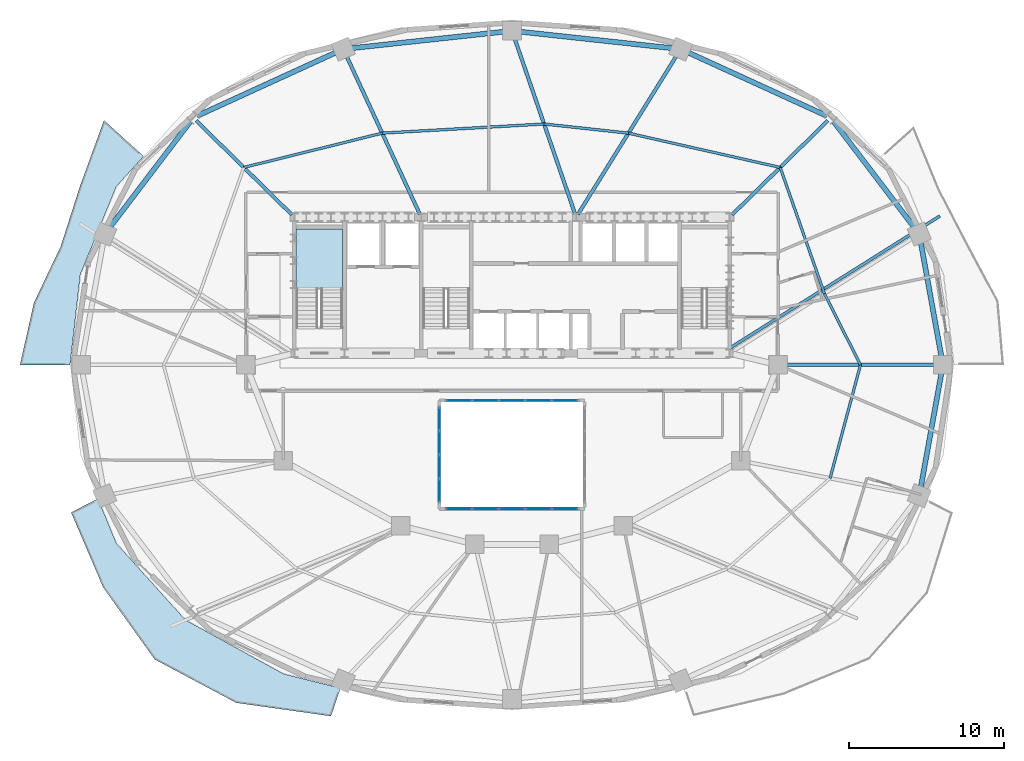
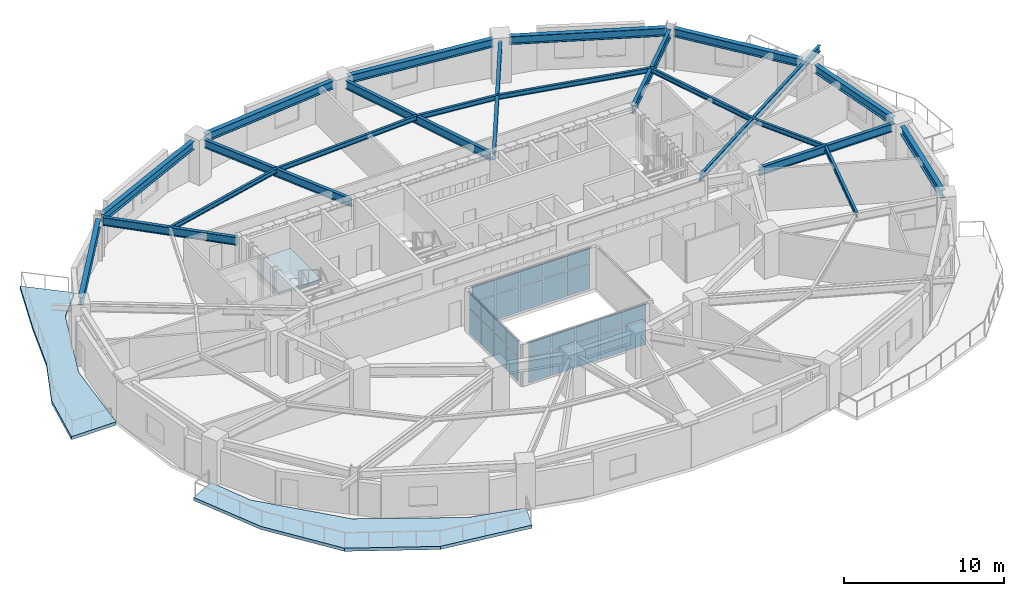
# One storey, part 5 of 12: 28 plates, 22 beams, 3 slabs, 4 elements without a shape of their own.
"""IFC4 building model written with IfcOpenShell, lengths in metres."""

from ifc_helpers import new_model, si_unit, direction, frame, origin, origin_2d, place, context, subcontext, project, spatial, polyline, rectangle, i_section, outline, extrude, material, layer, layer_set, material_profile, profile_set, type_object, element, aggregate, save


model = new_model("IFC4")

# Units and contexts
model_context = context("Model", 3, precision=1e-05, world=origin(), true_north=direction((0.0, 1.0)))
body_context = subcontext(model_context, "Body", "Model", "MODEL_VIEW")
ifc_project = project(units=[si_unit("LENGTHUNIT", "METRE"), si_unit("AREAUNIT", "SQUARE_METRE"), si_unit("VOLUMEUNIT", "CUBIC_METRE"), si_unit("PLANEANGLEUNIT", "RADIAN"), si_unit("MASSUNIT", "GRAM", prefix="KILO")], contexts=[model_context])

# Site, building, storey
site_placement = place(None, origin())
site = spatial("IfcSite", under=ifc_project, at=site_placement, CompositionType="ELEMENT")
building_placement = place(site_placement, origin())
building = spatial("IfcBuilding", under=site, at=building_placement, Name="Haldorwick Loom Tower", CompositionType="ELEMENT")
storey_placement = place(building_placement, frame((0.0, 0.0, 117.35009765625)))
storey = spatial("IfcBuildingStorey", under=building, at=storey_placement, Name="L31", CompositionType="ELEMENT", Elevation=117.35009765625)

# Beams
ifc_material_1 = material(Name="Steel CSA G40.21 350W", Category="steel")
ifc_material_profile_1 = material_profile(ifc_material_1, i_section(OverallWidth=0.193115234375, OverallDepth=0.466064453125, WebThickness=0.011474609375, FlangeThickness=0.01904296875, at=origin_2d()), Name="W460X97", Category="steel")
ifc_profile_set_1 = profile_set([ifc_material_profile_1], Name="Steel CSA G40.21 350W")
beam_type_1 = type_object("IfcBeamType", Name="STR-BM-BAL460", PredefinedType="BEAM", material=ifc_profile_set_1)
beam_1_placement = place(storey_placement, frame((50.111572265625, 27.106689453125, 2.976806640625), z_axis=(0.846609845451, 0.532214026108, 0.0), x_axis=(-0.532214026108, 0.846609845451, 0.0)))
element("IfcBeam", 1, at=beam_1_placement, inside=storey, type_object=beam_type_1, Name="L31 Continuous Back-Spanned Balcony Beam 4", PredefinedType="BEAM", context=body_context, shape_type="SweptSolid", body=[
    extrude(i_section(OverallWidth=0.193115234375, OverallDepth=0.466064453125, WebThickness=0.011474609375, FlangeThickness=0.01904296875, at=origin_2d()), origin(), (0.0, 0.0, 1.0), 16.0068359375),
])
ifc_material_profile_2 = material_profile(ifc_material_1, i_section(OverallWidth=0.172119140625, OverallDepth=0.35791015625, WebThickness=0.0078125, FlangeThickness=0.01318359375, at=origin_2d()), Name="W360X57", Category="steel")
ifc_profile_set_2 = profile_set([ifc_material_profile_2], Name="Steel CSA G40.21 350W")
beam_type_2 = type_object("IfcBeamType", Name="STR-BM-J360", PredefinedType="JOIST", material=ifc_profile_set_2)
beam_2_placement = place(storey_placement, frame((58.52880859375, 26.0, 3.031005859375), z_axis=(-0.451373231558, 0.892335254169, 0.0), x_axis=(-0.892335254169, -0.451373231558, 0.0)))
element("IfcBeam", 2, at=beam_2_placement, inside=storey, type_object=beam_type_2, Name="L31 Mid-Bay Secondary Joist 1", PredefinedType="JOIST", context=body_context, shape_type="SweptSolid", body=[
    extrude(i_section(OverallWidth=0.172119140625, OverallDepth=0.35791015625, WebThickness=0.0078125, FlangeThickness=0.01318359375, at=origin_2d()), origin(), (0.0, 0.0, 1.0), 5.158935546875),
])
beam_3_placement = place(storey_placement, frame((56.2001953125, 30.603515625, 3.031005859375), z_axis=(-0.330864603503, 0.943678236556, 0.0), x_axis=(-0.943678236556, -0.330864603503, 0.0)))
element("IfcBeam", 3, at=beam_3_placement, inside=storey, type_object=beam_type_2, Name="L31 Mid-Bay Secondary Joist 2", PredefinedType="JOIST", context=body_context, shape_type="SweptSolid", body=[
    extrude(i_section(OverallWidth=0.172119140625, OverallDepth=0.35791015625, WebThickness=0.0078125, FlangeThickness=0.01318359375, at=origin_2d()), origin(), (0.0, 0.0, 1.0), 8.6494140625),
])
beam_4_placement = place(storey_placement, frame((53.33837890625, 38.765869140625, 3.031005859375), z_axis=(-0.975380231772, 0.22052982444, 0.0), x_axis=(-0.22052982444, -0.975380231772, 0.0)))
element("IfcBeam", 4, at=beam_4_placement, inside=storey, type_object=beam_type_2, Name="L31 Mid-Bay Secondary Joist 3", PredefinedType="JOIST", context=body_context, shape_type="SweptSolid", body=[
    extrude(i_section(OverallWidth=0.172119140625, OverallDepth=0.35791015625, WebThickness=0.0078125, FlangeThickness=0.01318359375, at=origin_2d()), origin(), (0.0, 0.0, 1.0), 10.0576171875),
])
beam_5_placement = place(storey_placement, frame((43.5283203125, 40.98388671875, 3.031005859375), z_axis=(-0.994191869342, 0.107622148904, 0.0), x_axis=(-0.107622148904, -0.994191869342, 0.0)))
element("IfcBeam", 5, at=beam_5_placement, inside=storey, type_object=beam_type_2, Name="L31 Mid-Bay Secondary Joist 4", PredefinedType="JOIST", context=body_context, shape_type="SweptSolid", body=[
    extrude(i_section(OverallWidth=0.172119140625, OverallDepth=0.35791015625, WebThickness=0.0078125, FlangeThickness=0.01318359375, at=origin_2d()), origin(), (0.0, 0.0, 1.0), 5.485107421875),
])
beam_6_placement = place(storey_placement, frame((38.074951171875, 41.57421875, 3.031005859375), z_axis=(-0.998412171013, -0.056330602457, 0.0), x_axis=(0.056330602457, -0.998412171013, 0.0)))
element("IfcBeam", 6, at=beam_6_placement, inside=storey, type_object=beam_type_2, Name="L31 Mid-Bay Secondary Joist 5", PredefinedType="JOIST", context=body_context, shape_type="SweptSolid", body=[
    extrude(i_section(OverallWidth=0.172119140625, OverallDepth=0.35791015625, WebThickness=0.0078125, FlangeThickness=0.01318359375, at=origin_2d()), origin(), (0.0, 0.0, 1.0), 10.479736328125),
])
beam_7_placement = place(storey_placement, frame((27.61181640625, 40.98388671875, 3.031005859375), z_axis=(-0.970638838364, -0.240541567009, 0.0), x_axis=(0.240541567009, -0.970638838364, 0.0)))
element("IfcBeam", 7, at=beam_7_placement, inside=storey, type_object=beam_type_2, Name="L31 Mid-Bay Secondary Joist 6", PredefinedType="JOIST", context=body_context, shape_type="SweptSolid", body=[
    extrude(i_section(OverallWidth=0.172119140625, OverallDepth=0.35791015625, WebThickness=0.0078125, FlangeThickness=0.01318359375, at=origin_2d()), origin(), (0.0, 0.0, 1.0), 9.220947265625),
])
beam_8_placement = place(storey_placement, frame((56.565185546875, 18.67138671875, 3.031005859375), z_axis=(0.258810072536, 0.965928230436, 0.0), x_axis=(-0.965928230436, 0.258810072536, 0.0)))
element("IfcBeam", 8, at=beam_8_placement, inside=storey, type_object=beam_type_2, Name="L31 Mid-Bay Secondary Joist 16", PredefinedType="JOIST", context=body_context, shape_type="SweptSolid", body=[
    extrude(i_section(OverallWidth=0.172119140625, OverallDepth=0.35791015625, WebThickness=0.0078125, FlangeThickness=0.01318359375, at=origin_2d()), origin(), (0.0, 0.0, 1.0), 7.587158203125),
])
ifc_material_profile_3 = material_profile(ifc_material_1, i_section(OverallWidth=0.324951171875, OverallDepth=0.615966796875, WebThickness=0.013916015625, FlangeThickness=0.021484375, at=origin_2d()), Name="W610X174", Category="steel")
ifc_profile_set_3 = profile_set([ifc_material_profile_3], Name="Steel CSA G40.21 350W")
beam_type_3 = type_object("IfcBeamType", Name="STR-BM-SP610", PredefinedType="SPANDREL", material=ifc_profile_set_3)
beam_9_placement = place(storey_placement, frame((63.76513671875, 26.51171875, 2.90185546875), z_axis=(-0.177659490888, 0.984092020747, 0.0), x_axis=(-0.984092020747, -0.177659490888, 0.0)))
element("IfcBeam", 9, at=beam_9_placement, inside=storey, type_object=beam_type_3, Name="L31 Perimeter Spandrel 1", PredefinedType="SPANDREL", context=body_context, shape_type="SweptSolid", body=[
    extrude(i_section(OverallWidth=0.324951171875, OverallDepth=0.615966796875, WebThickness=0.013916015625, FlangeThickness=0.021484375, at=origin_2d()), origin(), (0.0, 0.0, 1.0), 7.553955078125),
])
beam_10_placement = place(storey_placement, frame((62.015869140625, 34.87109375, 2.90185546875), z_axis=(-0.605453508047, 0.795880675475, 0.0), x_axis=(-0.795880675475, -0.605453508047, 0.0)))
element("IfcBeam", 10, at=beam_10_placement, inside=storey, type_object=beam_type_3, Name="L31 Perimeter Spandrel 2", PredefinedType="SPANDREL", context=body_context, shape_type="SweptSolid", body=[
    extrude(i_section(OverallWidth=0.324951171875, OverallDepth=0.615966796875, WebThickness=0.013916015625, FlangeThickness=0.021484375, at=origin_2d()), origin(), (0.0, 0.0, 1.0), 8.6591796875),
])
beam_11_placement = place(storey_placement, frame((56.356689453125, 42.09619140625, 2.90185546875), z_axis=(-0.909423969306, 0.415870225011, 0.0), x_axis=(-0.415870225011, -0.909423969306, 0.0)))
element("IfcBeam", 11, at=beam_11_placement, inside=storey, type_object=beam_type_3, Name="L31 Perimeter Spandrel 3", PredefinedType="SPANDREL", context=body_context, shape_type="SweptSolid", body=[
    extrude(i_section(OverallWidth=0.324951171875, OverallDepth=0.615966796875, WebThickness=0.013916015625, FlangeThickness=0.021484375, at=origin_2d()), origin(), (0.0, 0.0, 1.0), 9.871337890625),
])
for number, where, z_axis, x_axis, name in (
    (12, (46.389404296875, 46.4736328125, 2.90185546875), (-0.994190135627, 0.107638163409, 0.0), (-0.107638163409, -0.994190135627, 0.0), "L31 Perimeter Spandrel 4"),
    (13, (35.48291015625, 47.54248046875, 2.90185546875), (-0.994190135627, -0.107638163409, 0.0), (0.107638163409, -0.994190135627, 0.0), "L31 Perimeter Spandrel 5"),
):
    element("IfcBeam", number, at=place(storey_placement, frame(where, z_axis=z_axis, x_axis=x_axis)), inside=storey, type_object=beam_type_3, Name=name, PredefinedType="SPANDREL", context=body_context, shape_type="SweptSolid", body=[
        extrude(i_section(OverallWidth=0.324951171875, OverallDepth=0.615966796875, WebThickness=0.013916015625, FlangeThickness=0.021484375, at=origin_2d()), origin(), (0.0, 0.0, 1.0), 9.929931640625),
    ])
beam_12_placement = place(storey_placement, frame((24.62060546875, 46.201416015625, 2.90185546875), z_axis=(-0.909423969306, -0.415870225011, 0.0), x_axis=(0.415870225011, -0.909423969306, 0.0)))
element("IfcBeam", 14, at=beam_12_placement, inside=storey, type_object=beam_type_3, Name="L31 Perimeter Spandrel 6", PredefinedType="SPANDREL", context=body_context, shape_type="SweptSolid", body=[
    extrude(i_section(OverallWidth=0.324951171875, OverallDepth=0.615966796875, WebThickness=0.013916015625, FlangeThickness=0.021484375, at=origin_2d()), origin(), (0.0, 0.0, 1.0), 9.871337890625),
])
beam_13_placement = place(storey_placement, frame((15.226806640625, 41.7626953125, 2.90185546875), z_axis=(-0.605453508047, -0.795880675475, 0.0), x_axis=(0.795880675475, -0.605453508047, 0.0)))
element("IfcBeam", 15, at=beam_13_placement, inside=storey, type_object=beam_type_3, Name="L31 Perimeter Spandrel 7", PredefinedType="SPANDREL", context=body_context, shape_type="SweptSolid", body=[
    extrude(i_section(OverallWidth=0.324951171875, OverallDepth=0.615966796875, WebThickness=0.013916015625, FlangeThickness=0.021484375, at=origin_2d()), origin(), (0.0, 0.0, 1.0), 8.6591796875),
])
beam_14_placement = place(storey_placement, frame((62.423095703125, 18.054443359375, 2.90185546875), z_axis=(0.177659490888, 0.984092020747, 0.0), x_axis=(-0.984092020747, 0.177659490888, 0.0)))
element("IfcBeam", 16, at=beam_14_placement, inside=storey, type_object=beam_type_3, Name="L31 Perimeter Spandrel 16", PredefinedType="SPANDREL", context=body_context, shape_type="SweptSolid", body=[
    extrude(i_section(OverallWidth=0.324951171875, OverallDepth=0.615966796875, WebThickness=0.013916015625, FlangeThickness=0.021484375, at=origin_2d()), origin(), (0.0, 0.0, 1.0), 7.553955078125),
])
ifc_material_profile_4 = material_profile(ifc_material_1, i_section(OverallWidth=0.22998046875, OverallDepth=0.616943359375, WebThickness=0.01318359375, FlangeThickness=0.022216796875, at=origin_2d()), Name="W610X140", Category="steel")
ifc_profile_set_4 = profile_set([ifc_material_profile_4], Name="Steel CSA G40.21 350W")
beam_type_4 = type_object("IfcBeamType", Name="STR-BM-W610B", PredefinedType="BEAM", material=ifc_profile_set_4)
beam_15_placement = place(storey_placement, frame((53.719970703125, 26.0, 2.9013671875), z_axis=(1.0, 0.0, 0.0), x_axis=(0.0, 1.0, 0.0)))
element("IfcBeam", 17, at=beam_15_placement, inside=storey, type_object=beam_type_4, Name="L31 Radial Floor Girder 1", PredefinedType="BEAM", context=body_context, shape_type="SweptSolid", body=[
    extrude(i_section(OverallWidth=0.22998046875, OverallDepth=0.616943359375, WebThickness=0.01318359375, FlangeThickness=0.022216796875, at=origin_2d()), origin(), (0.0, 0.0, 1.0), 9.61767578125),
])
beam_16_placement = place(storey_placement, frame((50.23046875, 35.707763671875, 2.9013671875), z_axis=(0.712813667541, 0.701353459653, 0.0), x_axis=(-0.701353459653, 0.712813667541, 0.0)))
element("IfcBeam", 18, at=beam_16_placement, inside=storey, type_object=beam_type_4, Name="L31 Radial Floor Girder 3", PredefinedType="BEAM", context=body_context, shape_type="SweptSolid", body=[
    extrude(i_section(OverallWidth=0.22998046875, OverallDepth=0.616943359375, WebThickness=0.01318359375, FlangeThickness=0.022216796875, at=origin_2d()), origin(), (0.0, 0.0, 1.0), 8.67041015625),
])
beam_17_placement = place(storey_placement, frame((40.268798828125, 35.7412109375, 2.9013671875), z_axis=(0.527983484361, 0.849254638046, 0.0), x_axis=(-0.849254638046, 0.527983484361, 0.0)))
element("IfcBeam", 19, at=beam_17_placement, inside=storey, type_object=beam_type_4, Name="L31 Radial Floor Girder 4", PredefinedType="BEAM", context=body_context, shape_type="SweptSolid", body=[
    extrude(i_section(OverallWidth=0.22998046875, OverallDepth=0.616943359375, WebThickness=0.01318359375, FlangeThickness=0.022216796875, at=origin_2d()), origin(), (0.0, 0.0, 1.0), 12.051513671875),
])
beam_18_placement = place(storey_placement, frame((40.07666015625, 35.7626953125, 2.9013671875), z_axis=(-0.325673980289, 0.945482130218, 0.0), x_axis=(-0.945482130218, -0.325673980289, 0.0)))
element("IfcBeam", 20, at=beam_18_placement, inside=storey, type_object=beam_type_4, Name="L31 Radial Floor Girder 5", PredefinedType="BEAM", context=body_context, shape_type="SweptSolid", body=[
    extrude(i_section(OverallWidth=0.22998046875, OverallDepth=0.616943359375, WebThickness=0.01318359375, FlangeThickness=0.022216796875, at=origin_2d()), origin(), (0.0, 0.0, 1.0), 11.998046875),
])
beam_19_placement = place(storey_placement, frame((30.035400390625, 35.754150390625, 2.9013671875), z_axis=(-0.420492432459, 0.907296045536, 0.0), x_axis=(-0.907296045536, -0.420492432459, 0.0)))
element("IfcBeam", 21, at=beam_19_placement, inside=storey, type_object=beam_type_4, Name="L31 Radial Floor Girder 6", PredefinedType="BEAM", context=body_context, shape_type="SweptSolid", body=[
    extrude(i_section(OverallWidth=0.22998046875, OverallDepth=0.616943359375, WebThickness=0.01318359375, FlangeThickness=0.022216796875, at=origin_2d()), origin(), (0.0, 0.0, 1.0), 11.23291015625),
])
beam_20_placement = place(storey_placement, frame((21.76953125, 35.707763671875, 2.9013671875), z_axis=(-0.712813667541, 0.701353459653, 0.0), x_axis=(-0.701353459653, -0.712813667541, 0.0)))
element("IfcBeam", 22, at=beam_20_placement, inside=storey, type_object=beam_type_4, Name="L31 Radial Floor Girder 7", PredefinedType="BEAM", context=body_context, shape_type="SweptSolid", body=[
    extrude(i_section(OverallWidth=0.22998046875, OverallDepth=0.616943359375, WebThickness=0.01318359375, FlangeThickness=0.022216796875, at=origin_2d()), origin(), (0.0, 0.0, 1.0), 8.67041015625),
])

# Curtain wall, plates
ifc_material_2 = material(Name="Thermally Broken Anodized Aluminium Curtain Wall Framing", Category="aluminium")
curtain_wall_type = type_object("IfcCurtainWallType", Name="ARC-CW-03", PredefinedType="NOTDEFINED", material=ifc_material_2)
curtain_wall_1_placement = place(storey_placement, origin())
curtain_wall_1 = element("IfcCurtainWall", 23, at=curtain_wall_1_placement, inside=storey, type_object=curtain_wall_type, Name="L31 Atrium Glazed Screen S", PredefinedType="NOTDEFINED")
ifc_material_3 = material(Name="Triple-Glazed Low-E Argon Insulated Glazing Unit", Category="glass")
ifc_layer_1 = layer(ifc_material_3, 0.04296875, Name="Triple-Glazed Low-E Argon Insulated Glazing Unit", Category="glass")
ifc_layer_set_1 = layer_set([ifc_layer_1], Name="Triple-Glazed Low-E Argon Insulated Glazing Unit")
plate_type = type_object("IfcPlateType", Name="ARC-CWP-03", PredefinedType="CURTAIN_PANEL", material=ifc_layer_set_1)
plate_1_placement = place(storey_placement, frame((39.423583984375, 16.699951171875, 0.06591796875), z_axis=(0.0, 0.0, 1.0), x_axis=(-1.0, 0.0, 0.0)))
plate_1 = element("IfcPlate", 24, at=plate_1_placement, type_object=plate_type, Name="CW-03 panel 1.1", PredefinedType="CURTAIN_PANEL", context=body_context, shape_type="SweptSolid", body=[
    extrude(rectangle(XDim=1.62109375, YDim=0.04296875, at=origin_2d()), origin(), (0.0, 0.0, 1.0), 1.90087890625),
])
plate_2_placement = place(storey_placement, frame((39.423583984375, 16.699951171875, 2.03271484375), z_axis=(0.0, 0.0, 1.0), x_axis=(-1.0, 0.0, 0.0)))
plate_2 = element("IfcPlate", 25, at=plate_2_placement, type_object=plate_type, Name="CW-03 panel 1.2", PredefinedType="CURTAIN_PANEL", context=body_context, shape_type="SweptSolid", body=[
    extrude(rectangle(XDim=1.62109375, YDim=0.04296875, at=origin_2d()), origin(), (0.0, 0.0, 1.0), 1.111083984375),
])
plate_3_placement = place(storey_placement, frame((37.719970703125, 16.699951171875, 0.06591796875), z_axis=(0.0, 0.0, 1.0), x_axis=(-1.0, 0.0, 0.0)))
plate_3 = element("IfcPlate", 26, at=plate_3_placement, type_object=plate_type, Name="CW-03 panel 2.1", PredefinedType="CURTAIN_PANEL", context=body_context, shape_type="SweptSolid", body=[
    extrude(rectangle(XDim=1.654052734375, YDim=0.04296875, at=origin_2d()), origin(), (0.0, 0.0, 1.0), 1.90087890625),
])
plate_4_placement = place(storey_placement, frame((37.719970703125, 16.699951171875, 2.03271484375), z_axis=(0.0, 0.0, 1.0), x_axis=(-1.0, 0.0, 0.0)))
plate_4 = element("IfcPlate", 27, at=plate_4_placement, type_object=plate_type, Name="CW-03 panel 2.2", PredefinedType="CURTAIN_PANEL", context=body_context, shape_type="SweptSolid", body=[
    extrude(rectangle(XDim=1.654052734375, YDim=0.04296875, at=origin_2d()), origin(), (0.0, 0.0, 1.0), 1.111083984375),
])
plate_5_placement = place(storey_placement, frame((36.0, 16.699951171875, 0.06591796875), z_axis=(0.0, 0.0, 1.0), x_axis=(-1.0, 0.0, 0.0)))
plate_5 = element("IfcPlate", 28, at=plate_5_placement, type_object=plate_type, Name="CW-03 panel 3.1", PredefinedType="CURTAIN_PANEL", context=body_context, shape_type="SweptSolid", body=[
    extrude(rectangle(XDim=1.654052734375, YDim=0.04296875, at=origin_2d()), origin(), (0.0, 0.0, 1.0), 1.90087890625),
])
plate_6_placement = place(storey_placement, frame((36.0, 16.699951171875, 2.03271484375), z_axis=(0.0, 0.0, 1.0), x_axis=(-1.0, 0.0, 0.0)))
plate_6 = element("IfcPlate", 29, at=plate_6_placement, type_object=plate_type, Name="CW-03 panel 3.2", PredefinedType="CURTAIN_PANEL", context=body_context, shape_type="SweptSolid", body=[
    extrude(rectangle(XDim=1.654052734375, YDim=0.04296875, at=origin_2d()), origin(), (0.0, 0.0, 1.0), 1.111083984375),
])
plate_7_placement = place(storey_placement, frame((34.280029296875, 16.699951171875, 0.06591796875), z_axis=(0.0, 0.0, 1.0), x_axis=(-1.0, 0.0, 0.0)))
plate_7 = element("IfcPlate", 30, at=plate_7_placement, type_object=plate_type, Name="CW-03 panel 4.1", PredefinedType="CURTAIN_PANEL", context=body_context, shape_type="SweptSolid", body=[
    extrude(rectangle(XDim=1.654052734375, YDim=0.04296875, at=origin_2d()), origin(), (0.0, 0.0, 1.0), 1.90087890625),
])
plate_8_placement = place(storey_placement, frame((34.280029296875, 16.699951171875, 2.03271484375), z_axis=(0.0, 0.0, 1.0), x_axis=(-1.0, 0.0, 0.0)))
plate_8 = element("IfcPlate", 31, at=plate_8_placement, type_object=plate_type, Name="CW-03 panel 4.2", PredefinedType="CURTAIN_PANEL", context=body_context, shape_type="SweptSolid", body=[
    extrude(rectangle(XDim=1.654052734375, YDim=0.04296875, at=origin_2d()), origin(), (0.0, 0.0, 1.0), 1.111083984375),
])
plate_9_placement = place(storey_placement, frame((32.576416015625, 16.699951171875, 0.06591796875), z_axis=(0.0, 0.0, 1.0), x_axis=(-1.0, 0.0, 0.0)))
plate_9 = element("IfcPlate", 32, at=plate_9_placement, type_object=plate_type, Name="CW-03 panel 5.1", PredefinedType="CURTAIN_PANEL", context=body_context, shape_type="SweptSolid", body=[
    extrude(rectangle(XDim=1.62109375, YDim=0.04296875, at=origin_2d()), origin(), (0.0, 0.0, 1.0), 1.90087890625),
])
plate_10_placement = place(storey_placement, frame((32.576416015625, 16.699951171875, 2.03271484375), z_axis=(0.0, 0.0, 1.0), x_axis=(-1.0, 0.0, 0.0)))
plate_10 = element("IfcPlate", 33, at=plate_10_placement, type_object=plate_type, Name="CW-03 panel 5.2", PredefinedType="CURTAIN_PANEL", context=body_context, shape_type="SweptSolid", body=[
    extrude(rectangle(XDim=1.62109375, YDim=0.04296875, at=origin_2d()), origin(), (0.0, 0.0, 1.0), 1.111083984375),
])
aggregate(curtain_wall_1, [plate_1, plate_2, plate_3, plate_4, plate_5, plate_6, plate_7, plate_8, plate_9, plate_10])

curtain_wall_2_placement = place(storey_placement, origin())
curtain_wall_2 = element("IfcCurtainWall", 34, at=curtain_wall_2_placement, inside=storey, type_object=curtain_wall_type, Name="L31 Atrium Glazed Screen N", PredefinedType="NOTDEFINED")
plate_11_placement = place(storey_placement, frame((32.576416015625, 23.699951171875, 0.06591796875), z_axis=(0.0, 0.0, 1.0), x_axis=(1.0, 0.0, 0.0)))
plate_11 = element("IfcPlate", 35, at=plate_11_placement, type_object=plate_type, Name="CW-03 panel 1.1", PredefinedType="CURTAIN_PANEL", context=body_context, shape_type="SweptSolid", body=[
    extrude(rectangle(XDim=1.62109375, YDim=0.04296875, at=origin_2d()), origin(), (0.0, 0.0, 1.0), 1.90087890625),
])
plate_12_placement = place(storey_placement, frame((32.576416015625, 23.699951171875, 2.03271484375), z_axis=(0.0, 0.0, 1.0), x_axis=(1.0, 0.0, 0.0)))
plate_12 = element("IfcPlate", 36, at=plate_12_placement, type_object=plate_type, Name="CW-03 panel 1.2", PredefinedType="CURTAIN_PANEL", context=body_context, shape_type="SweptSolid", body=[
    extrude(rectangle(XDim=1.62109375, YDim=0.04296875, at=origin_2d()), origin(), (0.0, 0.0, 1.0), 1.111083984375),
])
plate_13_placement = place(storey_placement, frame((34.280029296875, 23.699951171875, 0.06591796875), z_axis=(0.0, 0.0, 1.0), x_axis=(1.0, 0.0, 0.0)))
plate_13 = element("IfcPlate", 37, at=plate_13_placement, type_object=plate_type, Name="CW-03 panel 2.1", PredefinedType="CURTAIN_PANEL", context=body_context, shape_type="SweptSolid", body=[
    extrude(rectangle(XDim=1.654052734375, YDim=0.04296875, at=origin_2d()), origin(), (0.0, 0.0, 1.0), 1.90087890625),
])
plate_14_placement = place(storey_placement, frame((34.280029296875, 23.699951171875, 2.03271484375), z_axis=(0.0, 0.0, 1.0), x_axis=(1.0, 0.0, 0.0)))
plate_14 = element("IfcPlate", 38, at=plate_14_placement, type_object=plate_type, Name="CW-03 panel 2.2", PredefinedType="CURTAIN_PANEL", context=body_context, shape_type="SweptSolid", body=[
    extrude(rectangle(XDim=1.654052734375, YDim=0.04296875, at=origin_2d()), origin(), (0.0, 0.0, 1.0), 1.111083984375),
])
plate_15_placement = place(storey_placement, frame((36.0, 23.699951171875, 0.06591796875), z_axis=(0.0, 0.0, 1.0), x_axis=(1.0, 0.0, 0.0)))
plate_15 = element("IfcPlate", 39, at=plate_15_placement, type_object=plate_type, Name="CW-03 panel 3.1", PredefinedType="CURTAIN_PANEL", context=body_context, shape_type="SweptSolid", body=[
    extrude(rectangle(XDim=1.654052734375, YDim=0.04296875, at=origin_2d()), origin(), (0.0, 0.0, 1.0), 1.90087890625),
])
plate_16_placement = place(storey_placement, frame((36.0, 23.699951171875, 2.03271484375), z_axis=(0.0, 0.0, 1.0), x_axis=(1.0, 0.0, 0.0)))
plate_16 = element("IfcPlate", 40, at=plate_16_placement, type_object=plate_type, Name="CW-03 panel 3.2", PredefinedType="CURTAIN_PANEL", context=body_context, shape_type="SweptSolid", body=[
    extrude(rectangle(XDim=1.654052734375, YDim=0.04296875, at=origin_2d()), origin(), (0.0, 0.0, 1.0), 1.111083984375),
])
plate_17_placement = place(storey_placement, frame((37.719970703125, 23.699951171875, 0.06591796875), z_axis=(0.0, 0.0, 1.0), x_axis=(1.0, 0.0, 0.0)))
plate_17 = element("IfcPlate", 41, at=plate_17_placement, type_object=plate_type, Name="CW-03 panel 4.1", PredefinedType="CURTAIN_PANEL", context=body_context, shape_type="SweptSolid", body=[
    extrude(rectangle(XDim=1.654052734375, YDim=0.04296875, at=origin_2d()), origin(), (0.0, 0.0, 1.0), 1.90087890625),
])
plate_18_placement = place(storey_placement, frame((37.719970703125, 23.699951171875, 2.03271484375), z_axis=(0.0, 0.0, 1.0), x_axis=(1.0, 0.0, 0.0)))
plate_18 = element("IfcPlate", 42, at=plate_18_placement, type_object=plate_type, Name="CW-03 panel 4.2", PredefinedType="CURTAIN_PANEL", context=body_context, shape_type="SweptSolid", body=[
    extrude(rectangle(XDim=1.654052734375, YDim=0.04296875, at=origin_2d()), origin(), (0.0, 0.0, 1.0), 1.111083984375),
])
plate_19_placement = place(storey_placement, frame((39.423583984375, 23.699951171875, 0.06591796875), z_axis=(0.0, 0.0, 1.0), x_axis=(1.0, 0.0, 0.0)))
plate_19 = element("IfcPlate", 43, at=plate_19_placement, type_object=plate_type, Name="CW-03 panel 5.1", PredefinedType="CURTAIN_PANEL", context=body_context, shape_type="SweptSolid", body=[
    extrude(rectangle(XDim=1.62109375, YDim=0.04296875, at=origin_2d()), origin(), (0.0, 0.0, 1.0), 1.90087890625),
])
plate_20_placement = place(storey_placement, frame((39.423583984375, 23.699951171875, 2.03271484375), z_axis=(0.0, 0.0, 1.0), x_axis=(1.0, 0.0, 0.0)))
plate_20 = element("IfcPlate", 44, at=plate_20_placement, type_object=plate_type, Name="CW-03 panel 5.2", PredefinedType="CURTAIN_PANEL", context=body_context, shape_type="SweptSolid", body=[
    extrude(rectangle(XDim=1.62109375, YDim=0.04296875, at=origin_2d()), origin(), (0.0, 0.0, 1.0), 1.111083984375),
])
aggregate(curtain_wall_2, [plate_11, plate_12, plate_13, plate_14, plate_15, plate_16, plate_17, plate_18, plate_19, plate_20])

curtain_wall_3_placement = place(storey_placement, origin())
curtain_wall_3 = element("IfcCurtainWall", 45, at=curtain_wall_3_placement, inside=storey, type_object=curtain_wall_type, Name="L31 Atrium Glazed Screen W", PredefinedType="NOTDEFINED")
plate_21_placement = place(storey_placement, frame((31.300048828125, 17.8916015625, 0.06591796875), z_axis=(0.0, 0.0, 1.0), x_axis=(0.0, 1.0, 0.0)))
plate_21 = element("IfcPlate", 46, at=plate_21_placement, type_object=plate_type, Name="CW-03 panel 1.1", PredefinedType="CURTAIN_PANEL", context=body_context, shape_type="SweptSolid", body=[
    extrude(rectangle(XDim=1.450927734375, YDim=0.04296875, at=origin_2d()), origin(), (0.0, 0.0, 1.0), 1.90087890625),
])
plate_22_placement = place(storey_placement, frame((31.300048828125, 17.8916015625, 2.03271484375), z_axis=(0.0, 0.0, 1.0), x_axis=(0.0, 1.0, 0.0)))
plate_22 = element("IfcPlate", 47, at=plate_22_placement, type_object=plate_type, Name="CW-03 panel 1.2", PredefinedType="CURTAIN_PANEL", context=body_context, shape_type="SweptSolid", body=[
    extrude(rectangle(XDim=1.450927734375, YDim=0.04296875, at=origin_2d()), origin(), (0.0, 0.0, 1.0), 1.111083984375),
])
plate_23_placement = place(storey_placement, frame((31.300048828125, 19.425048828125, 0.06591796875), z_axis=(0.0, 0.0, 1.0), x_axis=(0.0, 1.0, 0.0)))
plate_23 = element("IfcPlate", 48, at=plate_23_placement, type_object=plate_type, Name="CW-03 panel 2.1", PredefinedType="CURTAIN_PANEL", context=body_context, shape_type="SweptSolid", body=[
    extrude(rectangle(XDim=1.48388671875, YDim=0.04296875, at=origin_2d()), origin(), (0.0, 0.0, 1.0), 1.90087890625),
])
plate_24_placement = place(storey_placement, frame((31.300048828125, 19.425048828125, 2.03271484375), z_axis=(0.0, 0.0, 1.0), x_axis=(0.0, 1.0, 0.0)))
plate_24 = element("IfcPlate", 49, at=plate_24_placement, type_object=plate_type, Name="CW-03 panel 2.2", PredefinedType="CURTAIN_PANEL", context=body_context, shape_type="SweptSolid", body=[
    extrude(rectangle(XDim=1.48388671875, YDim=0.04296875, at=origin_2d()), origin(), (0.0, 0.0, 1.0), 1.111083984375),
])
plate_25_placement = place(storey_placement, frame((31.300048828125, 20.97509765625, 0.06591796875), z_axis=(0.0, 0.0, 1.0), x_axis=(0.0, 1.0, 0.0)))
plate_25 = element("IfcPlate", 50, at=plate_25_placement, type_object=plate_type, Name="CW-03 panel 3.1", PredefinedType="CURTAIN_PANEL", context=body_context, shape_type="SweptSolid", body=[
    extrude(rectangle(XDim=1.48388671875, YDim=0.04296875, at=origin_2d()), origin(), (0.0, 0.0, 1.0), 1.90087890625),
])
plate_26_placement = place(storey_placement, frame((31.300048828125, 20.97509765625, 2.03271484375), z_axis=(0.0, 0.0, 1.0), x_axis=(0.0, 1.0, 0.0)))
plate_26 = element("IfcPlate", 51, at=plate_26_placement, type_object=plate_type, Name="CW-03 panel 3.2", PredefinedType="CURTAIN_PANEL", context=body_context, shape_type="SweptSolid", body=[
    extrude(rectangle(XDim=1.48388671875, YDim=0.04296875, at=origin_2d()), origin(), (0.0, 0.0, 1.0), 1.111083984375),
])
plate_27_placement = place(storey_placement, frame((31.300048828125, 22.508544921875, 0.06591796875), z_axis=(0.0, 0.0, 1.0), x_axis=(0.0, 1.0, 0.0)))
plate_27 = element("IfcPlate", 52, at=plate_27_placement, type_object=plate_type, Name="CW-03 panel 4.1", PredefinedType="CURTAIN_PANEL", context=body_context, shape_type="SweptSolid", body=[
    extrude(rectangle(XDim=1.450927734375, YDim=0.04296875, at=origin_2d()), origin(), (0.0, 0.0, 1.0), 1.90087890625),
])
plate_28_placement = place(storey_placement, frame((31.300048828125, 22.508544921875, 2.03271484375), z_axis=(0.0, 0.0, 1.0), x_axis=(0.0, 1.0, 0.0)))
plate_28 = element("IfcPlate", 53, at=plate_28_placement, type_object=plate_type, Name="CW-03 panel 4.2", PredefinedType="CURTAIN_PANEL", context=body_context, shape_type="SweptSolid", body=[
    extrude(rectangle(XDim=1.450927734375, YDim=0.04296875, at=origin_2d()), origin(), (0.0, 0.0, 1.0), 1.111083984375),
])
aggregate(curtain_wall_3, [plate_21, plate_22, plate_23, plate_24, plate_25, plate_26, plate_27, plate_28])

# Slabs
ifc_material_4 = material(Name="Concrete C40 (40 MPa)", Category="concrete")
ifc_layer_2 = layer(ifc_material_4, 0.239990234375, Name="Concrete C40 (40 MPa)", Category="concrete")
ifc_layer_set_2 = layer_set([ifc_layer_2], Name="Concrete C40 (40 MPa)")
slab_type_1 = type_object("IfcSlabType", Name="STR-SLB-BAL240", PredefinedType="FLOOR", material=ifc_layer_set_2)
slab_1_placement = place(storey_placement, frame((0.0, 0.0, -0.239990234375)))
element("IfcSlab", 54, at=slab_1_placement, inside=storey, type_object=slab_type_1, Name="L31 Sinusoidal Balcony Terrace BAL_SW", PredefinedType="FLOOR", context=body_context, shape_type="SweptSolid", body=[
    extrude(outline(polyline([(24.912109375, 5.10546875), (21.23583984375, 6.022705078125), (21.234619140625, 6.023193359375), (21.2333984375, 6.023681640625), (21.232177734375, 6.0244140625), (14.89111328125, 9.51025390625), (14.8896484375, 9.510986328125), (14.88818359375, 9.51220703125), (14.88720703125, 9.51318359375), (10.4228515625, 14.464599609375), (10.421875, 14.465576171875), (10.421142578125, 14.466552734375), (10.420654296875, 14.4677734375), (10.419921875, 14.468994140625), (9.240966796875, 17.349609375), (7.49755859375, 16.4658203125), (9.568115234375, 11.616943359375), (12.898193359375, 6.961669921875), (18.172607421875, 4.155517578125), (24.294189453125, 3.292724609375), (24.912109375, 5.10546875)])), origin(), (0.0, 0.0, 1.0), 0.239990234375),
])
slab_2_placement = place(storey_placement, frame((0.0, 0.0, -0.239990234375)))
element("IfcSlab", 55, at=slab_2_placement, inside=storey, type_object=slab_type_1, Name="L31 Sinusoidal Balcony Terrace BAL_WNW", PredefinedType="FLOOR", context=body_context, shape_type="SweptSolid", body=[
    extrude(outline(polyline([(7.427490234375, 26.0), (7.427490234375, 26.001708984375), (8.09033203125, 31.837890625), (8.090576171875, 31.83935546875), (8.0908203125, 31.840576171875), (8.09130859375, 31.841796875), (10.419921875, 37.531005859375), (10.420654296875, 37.5322265625), (10.421142578125, 37.533447265625), (10.421875, 37.534423828125), (10.4228515625, 37.535400390625), (12.186767578125, 39.491943359375), (9.6220703125, 41.81201171875), (8.07080078125, 37.553466796875), (6.823974609375, 33.660888671875), (5.09521484375, 30.026123046875), (4.1923828125, 26.0), (7.427490234375, 26.0)])), origin(), (0.0, 0.0, 1.0), 0.239990234375),
])

# Stair, slab
stair_type = type_object("IfcStairType", Name="STR-STR-CORE", PredefinedType="HALF_TURN_STAIR", material=ifc_material_4)
stair_placement = place(storey_placement, origin())
stair = element("IfcStair", 56, at=stair_placement, inside=storey, type_object=stair_type, Name="L31 Exit Stair ST-01", PredefinedType="HALF_TURN_STAIR")
ifc_layer_3 = layer(ifc_material_4, 0.199951171875, Name="Concrete C40 (40 MPa)", Category="concrete")
ifc_layer_set_3 = layer_set([ifc_layer_3], Name="Concrete C40 (40 MPa)")
slab_type_2 = type_object("IfcSlabType", Name="STR-SLB-LAND200", PredefinedType="LANDING", material=ifc_layer_set_3)
slab_3_placement = place(storey_placement, frame((0.0, 0.0, 1.52490234375)))
slab_3 = element("IfcSlab", 57, at=slab_3_placement, type_object=slab_type_2, Name="ST-01 landing 1", PredefinedType="LANDING", context=body_context, shape_type="SweptSolid", body=[
    extrude(outline(polyline([(25.050048828125, 30.919921875), (25.050048828125, 34.800048828125), (22.050048828125, 34.800048828125), (22.050048828125, 30.919921875), (25.050048828125, 30.919921875)])), origin(), (0.0, 0.0, 1.0), 0.199951171875),
])
aggregate(stair, [slab_3])

save(model, "model.ifc")
